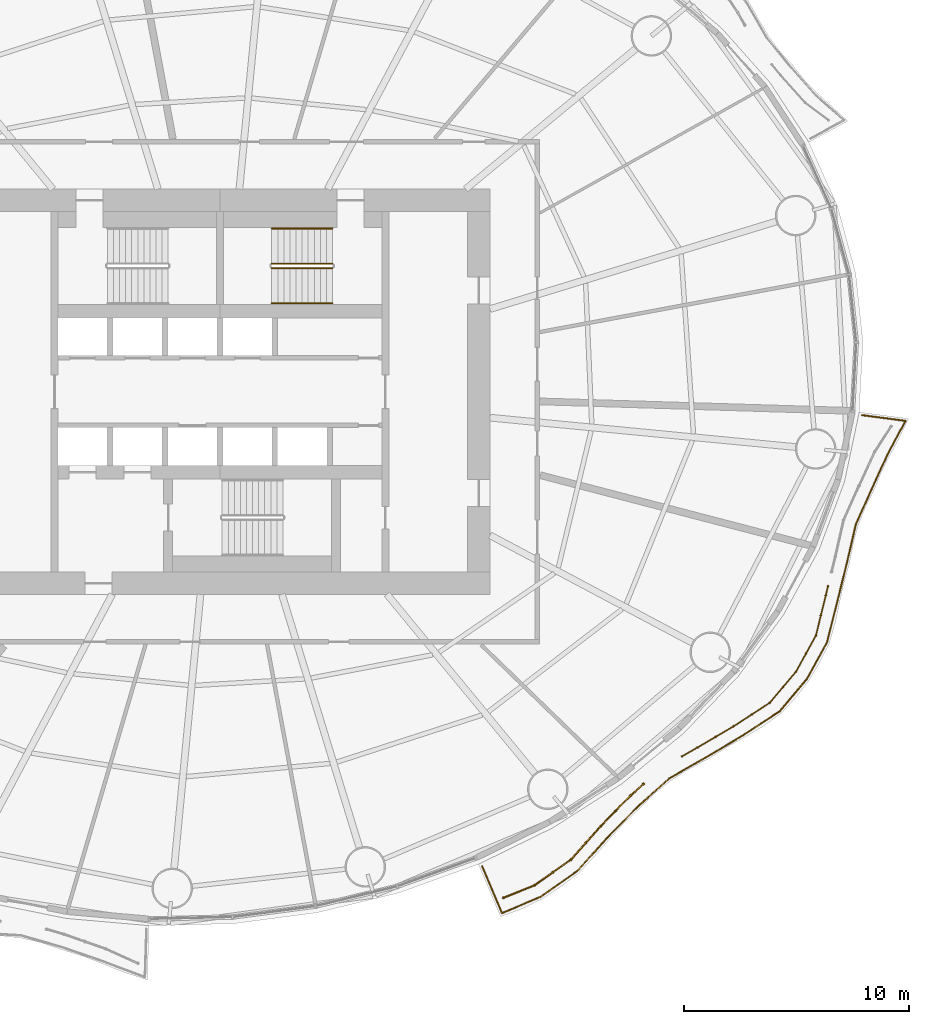
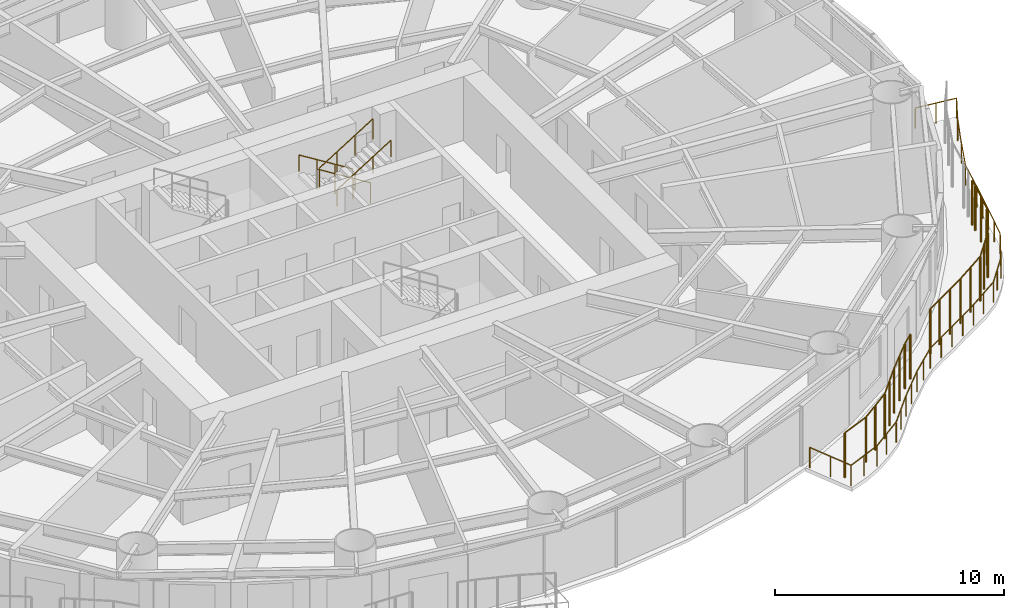
# One storey, part 14 of 17: 7 railings.
"""IFC4 building model written with IfcOpenShell, lengths in metres."""

from ifc_helpers import new_model, si_unit, direction, frame, origin, origin_2d, place, context, subcontext, project, spatial, circle, extrude, material, type_object, element, save


model = new_model("IFC4")

# Units and contexts
model_context = context("Model", 3, precision=1e-05, world=origin(), true_north=direction((0.0, 1.0)))
body_context = subcontext(model_context, "Body", "Model", "MODEL_VIEW")
ifc_project = project(units=[si_unit("LENGTHUNIT", "METRE"), si_unit("AREAUNIT", "SQUARE_METRE"), si_unit("VOLUMEUNIT", "CUBIC_METRE"), si_unit("PLANEANGLEUNIT", "RADIAN"), si_unit("MASSUNIT", "GRAM", prefix="KILO")], contexts=[model_context])

# Site, building, storey
site_placement = place(None, origin())
site = spatial("IfcSite", under=ifc_project, at=site_placement, CompositionType="ELEMENT")
building_placement = place(site_placement, origin())
building = spatial("IfcBuilding", under=site, at=building_placement, Name="Vermilion Reach Broadcast Tower", CompositionType="ELEMENT")
storey_placement = place(building_placement, frame((0.0, 0.0, 76.699951171875)))
storey = spatial("IfcBuildingStorey", under=building, at=storey_placement, Name="L16", CompositionType="ELEMENT", Elevation=76.699951171875)

# Railings
ifc_material_1 = material(Name="Terracotta baguette", Category="masonry")
railing_type_1 = type_object("IfcRailingType", Name="BAGUETTE SCREEN", PredefinedType="USERDEFINED", material=ifc_material_1)
railing_1_placement = place(storey_placement, frame((6.596435546875, -22.481689453125, 0.0)))
element("IfcRailing", 1, at=railing_1_placement, inside=storey, type_object=railing_type_1, Name="Baguette screen L16 group 4 part 1", ObjectType="BAGUETTE SCREEN", PredefinedType="USERDEFINED", context=body_context, shape_type="SweptSolid", body=[
    extrude(circle(Radius=0.030029296875, at=origin_2d()), frame((0.0, 0.0, 2.369873046875), z_axis=(0.926659653429, 0.37590143217, 0.0), x_axis=(-0.37590143217, 0.926659653429, 0.0)), (0.0, 0.0, 1.0), 1.5009765625),
    extrude(circle(Radius=0.030029296875, at=origin_2d()), frame((1.390869140625, 0.564208984375, 2.369873046875), z_axis=(0.816171076022, 0.577810327586, 0.0), x_axis=(-0.577810327586, 0.816171076022, 0.0)), (0.0, 0.0, 1.0), 1.96337890625),
    extrude(circle(Radius=0.030029296875, at=origin_2d()), frame((2.993408203125, 1.69873046875, 2.369873046875), z_axis=(0.666279998833, 0.745701658276, 0.0), x_axis=(-0.745701658276, 0.666279998833, 0.0)), (0.0, 0.0, 1.0), 1.982666015625),
    extrude(circle(Radius=0.030029296875, at=origin_2d()), frame((4.314453125, 3.17724609375, 2.369873046875), z_axis=(0.697760271343, 0.716331350518, 0.0), x_axis=(-0.716331350518, 0.697760271343, 0.0)), (0.0, 0.0, 1.0), 1.90625),
    extrude(circle(Radius=0.030029296875, at=origin_2d()), frame((5.64453125, 4.542724609375, 2.369873046875), z_axis=(0.745042192503, 0.667017339648, 0.0), x_axis=(-0.667017339648, 0.745042192503, 0.0)), (0.0, 0.0, 1.0), 0.769775390625),
    extrude(circle(Radius=0.050048828125, at=origin_2d()), origin(), (0.0, 0.0, 1.0), 2.33984375),
    extrude(circle(Radius=0.050048828125, at=origin_2d()), frame((1.390869140625, 0.564208984375, 0.0)), (0.0, 0.0, 1.0), 2.33984375),
    extrude(circle(Radius=0.050048828125, at=origin_2d()), frame((2.192138671875, 1.13134765625, 0.0)), (0.0, 0.0, 1.0), 2.33984375),
    extrude(circle(Radius=0.050048828125, at=origin_2d()), frame((2.993408203125, 1.69873046875, 0.0)), (0.0, 0.0, 1.0), 2.33984375),
    extrude(circle(Radius=0.050048828125, at=origin_2d()), frame((3.65380859375, 2.43798828125, 0.0)), (0.0, 0.0, 1.0), 2.33984375),
    extrude(circle(Radius=0.050048828125, at=origin_2d()), frame((4.314453125, 3.17724609375, 0.0)), (0.0, 0.0, 1.0), 2.33984375),
    extrude(circle(Radius=0.050048828125, at=origin_2d()), frame((4.9794921875, 3.85986328125, 0.0)), (0.0, 0.0, 1.0), 2.33984375),
    extrude(circle(Radius=0.050048828125, at=origin_2d()), frame((5.64453125, 4.542724609375, 0.0)), (0.0, 0.0, 1.0), 2.33984375),
    extrude(circle(Radius=0.050048828125, at=origin_2d()), frame((6.218017578125, 5.05615234375, 0.0)), (0.0, 0.0, 1.0), 2.33984375),
])
railing_2_placement = place(storey_placement, frame((14.523193359375, -16.197509765625, 0.0)))
element("IfcRailing", 2, at=railing_2_placement, inside=storey, type_object=railing_type_1, Name="Baguette screen L16 group 4 part 2", ObjectType="BAGUETTE SCREEN", PredefinedType="USERDEFINED", context=body_context, shape_type="SweptSolid", body=[
    extrude(circle(Radius=0.030029296875, at=origin_2d()), frame((0.0, 0.0, 2.369873046875), z_axis=(0.869166104029, 0.494520256013, 0.0), x_axis=(-0.494520256013, 0.869166104029, 0.0)), (0.0, 0.0, 1.0), 0.79638671875),
    extrude(circle(Radius=0.030029296875, at=origin_2d()), frame((0.692138671875, 0.393798828125, 2.369873046875), z_axis=(0.862398385455, 0.506230209257, 0.0), x_axis=(-0.506230209257, 0.862398385455, 0.0)), (0.0, 0.0, 1.0), 1.864501953125),
    extrude(circle(Radius=0.030029296875, at=origin_2d()), frame((2.300048828125, 1.337646484375, 2.369873046875), z_axis=(0.837969495893, 0.545717073173, 0.0), x_axis=(-0.545717073173, 0.837969495893, 0.0)), (0.0, 0.0, 1.0), 1.9072265625),
    extrude(circle(Radius=0.030029296875, at=origin_2d()), frame((3.898193359375, 2.37841796875, 2.369873046875), z_axis=(0.644706583756, 0.764430128175, 0.0), x_axis=(-0.764430128175, 0.644706583756, 0.0)), (0.0, 0.0, 1.0), 1.81689453125),
    extrude(circle(Radius=0.030029296875, at=origin_2d()), frame((5.069580078125, 3.767333984375, 2.369873046875), z_axis=(0.482041868849, 0.876148181917, 0.0), x_axis=(-0.876148181917, 0.482041868849, 0.0)), (0.0, 0.0, 1.0), 1.826904296875),
    extrude(circle(Radius=0.030029296875, at=origin_2d()), frame((5.9501953125, 5.367919921875, 2.369873046875), z_axis=(0.239203091727, 0.970969557148, 0.0), x_axis=(-0.970969557148, 0.239203091727, 0.0)), (0.0, 0.0, 1.0), 1.827880859375),
    extrude(circle(Radius=0.030029296875, at=origin_2d()), frame((6.387451171875, 7.142822265625, 2.369873046875), z_axis=(0.235843997296, 0.971790928616, 0.0), x_axis=(-0.971790928616, 0.235843997296, 0.0)), (0.0, 0.0, 1.0), 0.4296875),
    extrude(circle(Radius=0.050048828125, at=origin_2d()), origin(), (0.0, 0.0, 1.0), 2.33984375),
    extrude(circle(Radius=0.050048828125, at=origin_2d()), frame((0.692138671875, 0.393798828125, 0.0)), (0.0, 0.0, 1.0), 2.33984375),
    extrude(circle(Radius=0.050048828125, at=origin_2d()), frame((1.49609375, 0.86572265625, 0.0)), (0.0, 0.0, 1.0), 2.33984375),
    extrude(circle(Radius=0.050048828125, at=origin_2d()), frame((2.300048828125, 1.337646484375, 0.0)), (0.0, 0.0, 1.0), 2.33984375),
    extrude(circle(Radius=0.050048828125, at=origin_2d()), frame((3.09912109375, 1.85791015625, 0.0)), (0.0, 0.0, 1.0), 2.33984375),
    extrude(circle(Radius=0.050048828125, at=origin_2d()), frame((3.898193359375, 2.37841796875, 0.0)), (0.0, 0.0, 1.0), 2.33984375),
    extrude(circle(Radius=0.050048828125, at=origin_2d()), frame((4.48388671875, 3.07275390625, 0.0)), (0.0, 0.0, 1.0), 2.33984375),
    extrude(circle(Radius=0.050048828125, at=origin_2d()), frame((5.069580078125, 3.767333984375, 0.0)), (0.0, 0.0, 1.0), 2.33984375),
    extrude(circle(Radius=0.050048828125, at=origin_2d()), frame((5.509765625, 4.567626953125, 0.0)), (0.0, 0.0, 1.0), 2.33984375),
    extrude(circle(Radius=0.050048828125, at=origin_2d()), frame((5.9501953125, 5.367919921875, 0.0)), (0.0, 0.0, 1.0), 2.33984375),
    extrude(circle(Radius=0.050048828125, at=origin_2d()), frame((6.1689453125, 6.25537109375, 0.0)), (0.0, 0.0, 1.0), 2.33984375),
    extrude(circle(Radius=0.050048828125, at=origin_2d()), frame((6.387451171875, 7.142822265625, 0.0)), (0.0, 0.0, 1.0), 2.33984375),
    extrude(circle(Radius=0.050048828125, at=origin_2d()), frame((6.48876953125, 7.560302734375, 0.0)), (0.0, 0.0, 1.0), 2.33984375),
])
ifc_material_2 = material(Name="Stainless steel 316 balustrade", Category="steel")
railing_type_2 = type_object("IfcRailingType", Name="Balcony guard 1100", PredefinedType="BALUSTRADE", material=ifc_material_2)
railing_3_placement = place(storey_placement, frame((5.643798828125, -21.077880859375, 0.0)))
element("IfcRailing", 3, at=railing_3_placement, inside=storey, type_object=railing_type_2, Name="Balcony guard L16 group 4", PredefinedType="BALUSTRADE", context=body_context, shape_type="SweptSolid", body=[
    extrude(circle(Radius=0.02490234375, at=origin_2d()), frame((0.0, 0.0, 1.0751953125), z_axis=(0.390034274095, -0.920800339396, 0.0), x_axis=(0.920800339396, 0.390034274095, 0.0)), (0.0, 0.0, 1.0), 2.26220703125),
    extrude(circle(Radius=0.02490234375, at=origin_2d()), frame((0.88232421875, -2.0830078125, 1.0751953125), z_axis=(0.921635375138, 0.388057000058, 0.0), x_axis=(-0.388057000058, 0.921635375138, 0.0)), (0.0, 0.0, 1.0), 1.8623046875),
    extrude(circle(Radius=0.02490234375, at=origin_2d()), frame((2.5986328125, -1.3603515625, 1.0751953125), z_axis=(0.817452327473, 0.575996260672, 0.0), x_axis=(-0.575996260672, 0.817452327473, 0.0)), (0.0, 0.0, 1.0), 1.995849609375),
    extrude(circle(Radius=0.02490234375, at=origin_2d()), frame((4.230224609375, -0.210693359375, 1.0751953125), z_axis=(0.669868372771, 0.74247987391, 0.0), x_axis=(-0.74247987391, 0.669868372771, 0.0)), (0.0, 0.0, 1.0), 2.013916015625),
    extrude(circle(Radius=0.02490234375, at=origin_2d()), frame((5.579345703125, 1.28466796875, 1.0751953125), z_axis=(0.700275306075, 0.713872884834, 0.0), x_axis=(-0.713872884834, 0.700275306075, 0.0)), (0.0, 0.0, 1.0), 1.939208984375),
    extrude(circle(Radius=0.02490234375, at=origin_2d()), frame((6.937255859375, 2.6689453125, 1.0751953125), z_axis=(0.745795206777, 0.666175284402, 0.0), x_axis=(-0.666175284402, 0.745795206777, 0.0)), (0.0, 0.0, 1.0), 1.855224609375),
    extrude(circle(Radius=0.02490234375, at=origin_2d()), frame((8.32080078125, 3.90478515625, 1.0751953125), z_axis=(0.867362212537, 0.497677397782, 0.0), x_axis=(-0.497677397782, 0.867362212537, 0.0)), (0.0, 0.0, 1.0), 1.89599609375),
    extrude(circle(Radius=0.02490234375, at=origin_2d()), frame((9.96533203125, 4.848388671875, 1.0751953125), z_axis=(0.860057522683, 0.510197077292, 0.0), x_axis=(-0.510197077292, 0.860057522683, 0.0)), (0.0, 0.0, 1.0), 1.898681640625),
    extrude(circle(Radius=0.02490234375, at=origin_2d()), frame((11.598388671875, 5.817138671875, 1.0751953125), z_axis=(0.835321434487, 0.549761858523, 0.0), x_axis=(-0.549761858523, 0.835321434487, 0.0)), (0.0, 0.0, 1.0), 1.943359375),
    extrude(circle(Radius=0.02490234375, at=origin_2d()), frame((13.2216796875, 6.885498046875, 1.0751953125), z_axis=(0.644151964871, 0.764897539644, 0.0), x_axis=(-0.764897539644, 0.644151964871, 0.0)), (0.0, 0.0, 1.0), 1.85400390625),
    extrude(circle(Radius=0.02490234375, at=origin_2d()), frame((14.416015625, 8.3037109375, 1.0751953125), z_axis=(0.48378635289, 0.875186131493, 0.0), x_axis=(-0.875186131493, 0.48378635289, 0.0)), (0.0, 0.0, 1.0), 1.86572265625),
    extrude(circle(Radius=0.02490234375, at=origin_2d()), frame((15.318603515625, 9.9365234375, 1.0751953125), z_axis=(0.245121389862, 0.969492395139, 0.0), x_axis=(-0.969492395139, 0.245121389862, 0.0)), (0.0, 0.0, 1.0), 1.865478515625),
    extrude(circle(Radius=0.02490234375, at=origin_2d()), frame((15.77587890625, 11.7451171875, 1.0751953125), z_axis=(0.241041981538, 0.97051468981, 0.0), x_axis=(-0.97051468981, 0.241041981538, 0.0)), (0.0, 0.0, 1.0), 1.807861328125),
    extrude(circle(Radius=0.02490234375, at=origin_2d()), frame((16.211669921875, 13.499755859375, 1.0751953125), z_axis=(0.225863199052, 0.974159029786, 0.0), x_axis=(-0.974159029786, 0.225863199052, 0.0)), (0.0, 0.0, 1.0), 1.722900390625),
    extrude(circle(Radius=0.02490234375, at=origin_2d()), frame((16.600830078125, 15.17822265625, 1.0751953125), z_axis=(0.40796794996, 0.912996249612, 0.0), x_axis=(-0.912996249612, 0.40796794996, 0.0)), (0.0, 0.0, 1.0), 1.7080078125),
    extrude(circle(Radius=0.02490234375, at=origin_2d()), frame((17.297607421875, 16.737548828125, 1.0751953125), z_axis=(0.41638963499, 0.909186269074, 0.0), x_axis=(-0.909186269074, 0.41638963499, 0.0)), (0.0, 0.0, 1.0), 1.712646484375),
    extrude(circle(Radius=0.02490234375, at=origin_2d()), frame((18.0107421875, 18.294677734375, 1.0751953125), z_axis=(0.472606747127, 0.881273432352, 0.0), x_axis=(-0.881273432353, 0.472606747127, 0.0)), (0.0, 0.0, 1.0), 1.687744140625),
    extrude(circle(Radius=0.02490234375, at=origin_2d()), frame((18.808349609375, 19.781982421875, 1.0751953125), z_axis=(-0.991414137583, 0.130759350721, 0.0), x_axis=(-0.130759350721, -0.991414137583, 0.0)), (0.0, 0.0, 1.0), 1.947265625),
    extrude(circle(Radius=0.02490234375, at=origin_2d()), origin(), (0.0, 0.0, 1.0), 1.050048828125),
    extrude(circle(Radius=0.02490234375, at=origin_2d()), frame((0.441162109375, -1.04150390625, 0.0)), (0.0, 0.0, 1.0), 1.050048828125),
    extrude(circle(Radius=0.02490234375, at=origin_2d()), frame((0.88232421875, -2.0830078125, 0.0)), (0.0, 0.0, 1.0), 1.050048828125),
    extrude(circle(Radius=0.02490234375, at=origin_2d()), frame((1.740478515625, -1.7216796875, 0.0)), (0.0, 0.0, 1.0), 1.050048828125),
    extrude(circle(Radius=0.02490234375, at=origin_2d()), frame((2.5986328125, -1.3603515625, 0.0)), (0.0, 0.0, 1.0), 1.050048828125),
    extrude(circle(Radius=0.02490234375, at=origin_2d()), frame((3.41455078125, -0.78564453125, 0.0)), (0.0, 0.0, 1.0), 1.050048828125),
    extrude(circle(Radius=0.02490234375, at=origin_2d()), frame((4.230224609375, -0.210693359375, 0.0)), (0.0, 0.0, 1.0), 1.050048828125),
    extrude(circle(Radius=0.02490234375, at=origin_2d()), frame((4.90478515625, 0.537109375, 0.0)), (0.0, 0.0, 1.0), 1.050048828125),
    extrude(circle(Radius=0.02490234375, at=origin_2d()), frame((5.579345703125, 1.28466796875, 0.0)), (0.0, 0.0, 1.0), 1.050048828125),
    extrude(circle(Radius=0.02490234375, at=origin_2d()), frame((6.25830078125, 1.976806640625, 0.0)), (0.0, 0.0, 1.0), 1.050048828125),
    extrude(circle(Radius=0.02490234375, at=origin_2d()), frame((6.937255859375, 2.6689453125, 0.0)), (0.0, 0.0, 1.0), 1.050048828125),
    extrude(circle(Radius=0.02490234375, at=origin_2d()), frame((7.62890625, 3.286865234375, 0.0)), (0.0, 0.0, 1.0), 1.050048828125),
    extrude(circle(Radius=0.02490234375, at=origin_2d()), frame((8.32080078125, 3.90478515625, 0.0)), (0.0, 0.0, 1.0), 1.050048828125),
    extrude(circle(Radius=0.02490234375, at=origin_2d()), frame((9.14306640625, 4.37646484375, 0.0)), (0.0, 0.0, 1.0), 1.050048828125),
    extrude(circle(Radius=0.02490234375, at=origin_2d()), frame((9.96533203125, 4.848388671875, 0.0)), (0.0, 0.0, 1.0), 1.050048828125),
    extrude(circle(Radius=0.02490234375, at=origin_2d()), frame((10.78173828125, 5.332763671875, 0.0)), (0.0, 0.0, 1.0), 1.050048828125),
    extrude(circle(Radius=0.02490234375, at=origin_2d()), frame((11.598388671875, 5.817138671875, 0.0)), (0.0, 0.0, 1.0), 1.050048828125),
    extrude(circle(Radius=0.02490234375, at=origin_2d()), frame((12.41015625, 6.351318359375, 0.0)), (0.0, 0.0, 1.0), 1.050048828125),
    extrude(circle(Radius=0.02490234375, at=origin_2d()), frame((13.2216796875, 6.885498046875, 0.0)), (0.0, 0.0, 1.0), 1.050048828125),
    extrude(circle(Radius=0.02490234375, at=origin_2d()), frame((13.81884765625, 7.5947265625, 0.0)), (0.0, 0.0, 1.0), 1.050048828125),
    extrude(circle(Radius=0.02490234375, at=origin_2d()), frame((14.416015625, 8.3037109375, 0.0)), (0.0, 0.0, 1.0), 1.050048828125),
    extrude(circle(Radius=0.02490234375, at=origin_2d()), frame((14.8671875, 9.1201171875, 0.0)), (0.0, 0.0, 1.0), 1.050048828125),
    extrude(circle(Radius=0.02490234375, at=origin_2d()), frame((15.318603515625, 9.9365234375, 0.0)), (0.0, 0.0, 1.0), 1.050048828125),
    extrude(circle(Radius=0.02490234375, at=origin_2d()), frame((15.54736328125, 10.8408203125, 0.0)), (0.0, 0.0, 1.0), 1.050048828125),
    extrude(circle(Radius=0.02490234375, at=origin_2d()), frame((15.77587890625, 11.7451171875, 0.0)), (0.0, 0.0, 1.0), 1.050048828125),
    extrude(circle(Radius=0.02490234375, at=origin_2d()), frame((15.99365234375, 12.62255859375, 0.0)), (0.0, 0.0, 1.0), 1.050048828125),
    extrude(circle(Radius=0.02490234375, at=origin_2d()), frame((16.211669921875, 13.499755859375, 0.0)), (0.0, 0.0, 1.0), 1.050048828125),
    extrude(circle(Radius=0.02490234375, at=origin_2d()), frame((16.600830078125, 15.17822265625, 0.0)), (0.0, 0.0, 1.0), 1.050048828125),
    extrude(circle(Radius=0.02490234375, at=origin_2d()), frame((17.297607421875, 16.737548828125, 0.0)), (0.0, 0.0, 1.0), 1.050048828125),
    extrude(circle(Radius=0.02490234375, at=origin_2d()), frame((18.0107421875, 18.294677734375, 0.0)), (0.0, 0.0, 1.0), 1.050048828125),
    extrude(circle(Radius=0.02490234375, at=origin_2d()), frame((18.808349609375, 19.781982421875, 0.0)), (0.0, 0.0, 1.0), 1.050048828125),
    extrude(circle(Radius=0.02490234375, at=origin_2d()), frame((17.843017578125, 19.9091796875, 0.0)), (0.0, 0.0, 1.0), 1.050048828125),
    extrude(circle(Radius=0.02490234375, at=origin_2d()), frame((16.877685546875, 20.03662109375, 0.0)), (0.0, 0.0, 1.0), 1.050048828125),
])
ifc_material_3 = material(Name="Stainless steel", Category="steel")
railing_type_3 = type_object("IfcRailingType", Name="Stair guard 1100", PredefinedType="GUARDRAIL", material=ifc_material_3)
railing_4_placement = place(storey_placement, frame((-1.0, 5.68994140625, 0.168212890625)))
element("IfcRailing", 4, at=railing_4_placement, inside=storey, type_object=railing_type_3, Name="L16 ST2 stair guard 1", PredefinedType="GUARDRAIL", context=body_context, shape_type="SweptSolid", body=[
    extrude(circle(Radius=0.02392578125, at=origin_2d()), frame((0.0, 0.0, 1.076171875), z_axis=(-0.848786430784, 0.0, 0.528735846068), x_axis=(0.0, -1.0, 0.0)), (0.0, 0.0, 1.0), 3.180908203125),
    extrude(circle(Radius=0.02099609375, at=origin_2d()), origin(), (0.0, 0.0, 1.0), 1.052001953125),
    extrude(circle(Radius=0.02099609375, at=origin_2d()), frame((-0.89990234375, 0.0, 0.560546875)), (0.0, 0.0, 1.0), 1.052001953125),
    extrude(circle(Radius=0.02099609375, at=origin_2d()), frame((-1.800048828125, 0.0, 1.121337890625)), (0.0, 0.0, 1.0), 1.052001953125),
    extrude(circle(Radius=0.02099609375, at=origin_2d()), frame((-2.699951171875, 0.0, 1.681884765625)), (0.0, 0.0, 1.0), 1.052001953125),
])
railing_5_placement = place(storey_placement, frame((-3.699951171875, 5.489990234375, 2.018310546875)))
element("IfcRailing", 5, at=railing_5_placement, inside=storey, type_object=railing_type_3, Name="L16 ST2 stair guard 3", PredefinedType="GUARDRAIL", context=body_context, shape_type="SweptSolid", body=[
    extrude(circle(Radius=0.02392578125, at=origin_2d()), frame((0.0, 0.0, 1.076171875), z_axis=(0.84882087487, 0.0, 0.528680548522), x_axis=(0.0, 1.0, 0.0)), (0.0, 0.0, 1.0), 3.180908203125),
    extrude(circle(Radius=0.02099609375, at=origin_2d()), origin(), (0.0, 0.0, 1.0), 1.052001953125),
    extrude(circle(Radius=0.02099609375, at=origin_2d()), frame((0.89990234375, 0.0, 0.560546875)), (0.0, 0.0, 1.0), 1.052001953125),
    extrude(circle(Radius=0.02099609375, at=origin_2d()), frame((1.800048828125, 0.0, 1.12109375)), (0.0, 0.0, 1.0), 1.052001953125),
    extrude(circle(Radius=0.02099609375, at=origin_2d()), frame((2.699951171875, 0.0, 1.681640625)), (0.0, 0.0, 1.0), 1.052001953125),
])
ifc_material_4 = material(Name="Stainless steel", Category="steel")
railing_type_4 = type_object("IfcRailingType", Name="Stair handrail", PredefinedType="HANDRAIL", material=ifc_material_4)
railing_6_placement = place(storey_placement, frame((-1.0, 7.25, 0.168212890625)))
element("IfcRailing", 6, at=railing_6_placement, inside=storey, type_object=railing_type_4, Name="L16 ST2 stair handrail 1", PredefinedType="HANDRAIL", context=body_context, shape_type="SweptSolid", body=[
    extrude(circle(Radius=0.02392578125, at=origin_2d()), frame((0.0, 0.0, 0.8759765625), z_axis=(-0.848786430784, 0.0, 0.528735846068), x_axis=(0.0, -1.0, 0.0)), (0.0, 0.0, 1.0), 3.180908203125),
    extrude(circle(Radius=0.02099609375, at=origin_2d()), origin(), (0.0, 0.0, 1.0), 0.851806640625),
    extrude(circle(Radius=0.02099609375, at=origin_2d()), frame((-0.89990234375, 0.0, 0.560546875)), (0.0, 0.0, 1.0), 0.851806640625),
    extrude(circle(Radius=0.02099609375, at=origin_2d()), frame((-1.800048828125, 0.0, 1.121337890625)), (0.0, 0.0, 1.0), 0.851806640625),
    extrude(circle(Radius=0.02099609375, at=origin_2d()), frame((-2.699951171875, 0.0, 1.681884765625)), (0.0, 0.0, 1.0), 0.851806640625),
])
railing_7_placement = place(storey_placement, frame((-3.699951171875, 3.929931640625, 2.018310546875)))
element("IfcRailing", 7, at=railing_7_placement, inside=storey, type_object=railing_type_4, Name="L16 ST2 stair handrail 2", PredefinedType="HANDRAIL", context=body_context, shape_type="SweptSolid", body=[
    extrude(circle(Radius=0.02392578125, at=origin_2d()), frame((0.0, 0.0, 0.8759765625), z_axis=(0.84882087487, 0.0, 0.528680548522), x_axis=(0.0, 1.0, 0.0)), (0.0, 0.0, 1.0), 3.180908203125),
    extrude(circle(Radius=0.02099609375, at=origin_2d()), origin(), (0.0, 0.0, 1.0), 0.851806640625),
    extrude(circle(Radius=0.02099609375, at=origin_2d()), frame((0.89990234375, 0.0, 0.560546875)), (0.0, 0.0, 1.0), 0.851806640625),
    extrude(circle(Radius=0.02099609375, at=origin_2d()), frame((1.800048828125, 0.0, 1.12109375)), (0.0, 0.0, 1.0), 0.851806640625),
    extrude(circle(Radius=0.02099609375, at=origin_2d()), frame((2.699951171875, 0.0, 1.681640625)), (0.0, 0.0, 1.0), 0.851806640625),
])

save(model, "model.ifc")
